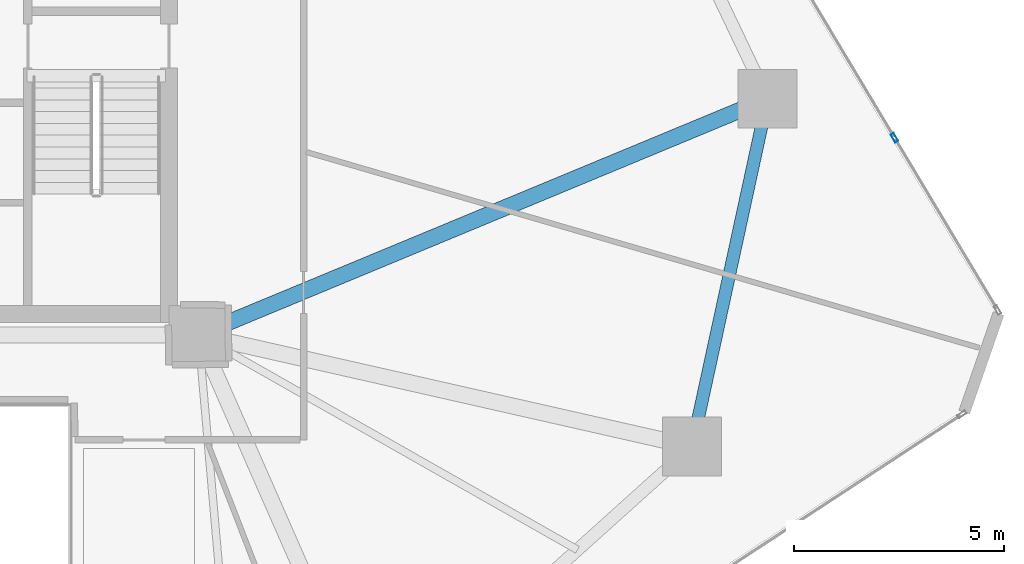
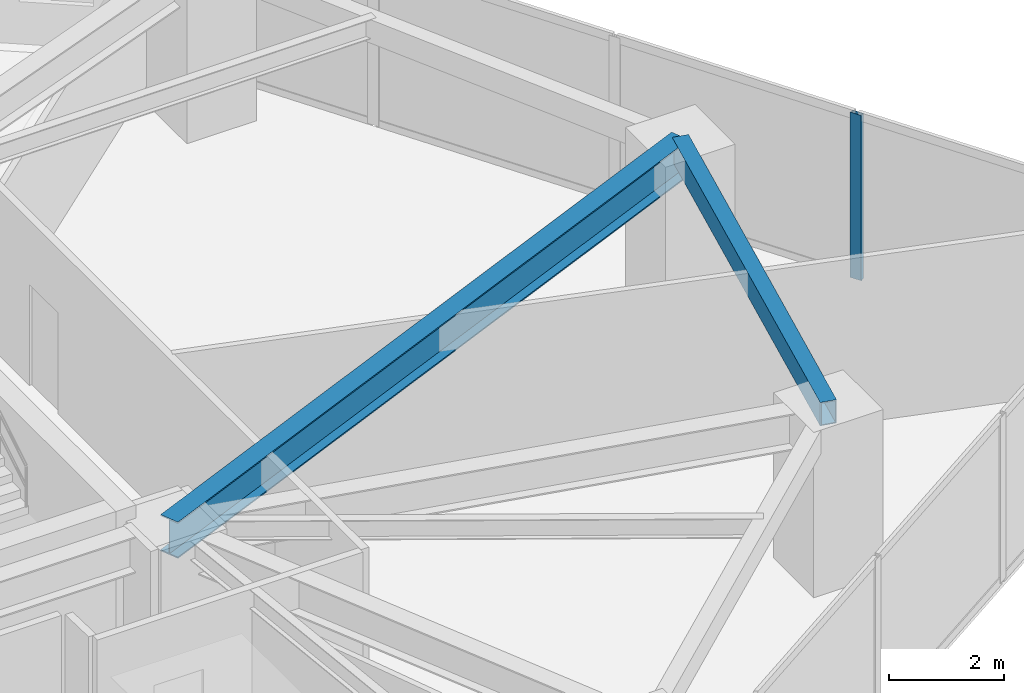
# One storey, part 10 of 20: 2 beams, 1 member, 1 element without a shape of its own.
"""IFC4 building model written with IfcOpenShell, lengths in metres."""

from ifc_helpers import new_model, si_unit, direction, frame, origin, origin_2d, place, context, subcontext, project, spatial, hollow_rectangle, i_section, extrude, source, transform, mapped, material, layer, layer_set, material_profile, profile_set, type_object, type_shapes, element, aggregate, save


model = new_model("IFC4")

# Units and contexts
model_context = context("Model", 3, precision=1e-05, world=origin(), true_north=direction((0.0, 1.0)))
body_context = subcontext(model_context, "Body", "Model", "MODEL_VIEW")
ifc_project = project(units=[si_unit("LENGTHUNIT", "METRE"), si_unit("AREAUNIT", "SQUARE_METRE"), si_unit("VOLUMEUNIT", "CUBIC_METRE"), si_unit("PLANEANGLEUNIT", "RADIAN"), si_unit("MASSUNIT", "GRAM", prefix="KILO")], contexts=[model_context])

# Site, building, storey
site_placement = place(None, origin())
site = spatial("IfcSite", under=ifc_project, at=site_placement, CompositionType="ELEMENT")
building_placement = place(site_placement, origin())
building = spatial("IfcBuilding", under=site, at=building_placement, Name="Talar Marvaseh", CompositionType="ELEMENT")
storey_placement = place(building_placement, frame((0.0, 0.0, 58.199951171875)))
storey = spatial("IfcBuildingStorey", under=building, at=storey_placement, Name="L14", CompositionType="ELEMENT", Elevation=58.199951171875)

# Beams
ifc_material_1 = material(Name="Steel S355", Category="steel")
ifc_material_profile_1 = material_profile(ifc_material_1, hollow_rectangle(XDim=0.300048828125, YDim=0.5, WallThickness=0.02001953125, at=origin_2d()), Name="RHS500x300x20")
ifc_profile_set_1 = profile_set([ifc_material_profile_1], Name="Steel S355")
beam_type_1 = type_object("IfcBeamType", Name="Zone 1 Perimeter Spandrel Beam RHS500x300x20", PredefinedType="SPANDREL", material=ifc_profile_set_1)
beam_1_placement = place(storey_placement, frame((46.841064453125, 31.118896484375, 3.27001953125), z_axis=(-0.212134113363, -0.977240562987, 0.0), x_axis=(0.977240562987, -0.212134113363, 0.0)))
element("IfcBeam", 1, at=beam_1_placement, inside=storey, type_object=beam_type_1, Name="L14 Zone 1 Perimeter Spandrel Beam RHS500x300x20", PredefinedType="SPANDREL", context=body_context, shape_type="SweptSolid", body=[
    extrude(hollow_rectangle(XDim=0.300048828125, YDim=0.5, WallThickness=0.02001953125, at=origin_2d()), origin(), (0.0, 0.0, 1.0), 8.4716796875),
])
ifc_material_profile_2 = material_profile(ifc_material_1, i_section(OverallWidth=0.381103515625, OverallDepth=0.77294921875, WebThickness=0.0166015625, FlangeThickness=0.027099609375, at=origin_2d()), Name="W760x257")
ifc_profile_set_2 = profile_set([ifc_material_profile_2], Name="Steel S355")
beam_type_2 = type_object("IfcBeamType", Name="Zone 1 Radial Floor Girder W760x257", PredefinedType="BEAM", material=ifc_profile_set_2)
beam_2_placement = place(storey_placement, frame((46.841064453125, 31.118896484375, 3.133544921875), z_axis=(-0.923637605375, -0.383266974753, 0.0), x_axis=(0.383266974753, -0.923637605375, 0.0)))
element("IfcBeam", 2, at=beam_2_placement, inside=storey, type_object=beam_type_2, Name="L14 Zone 1 Radial Floor Girder W760x257", PredefinedType="BEAM", context=body_context, shape_type="SweptSolid", body=[
    extrude(i_section(OverallWidth=0.381103515625, OverallDepth=0.77294921875, WebThickness=0.0166015625, FlangeThickness=0.027099609375, at=origin_2d()), origin(), (0.0, 0.0, 1.0), 14.66064453125),
])

# Curtain wall, member
ifc_material_2 = material(Name="Architectural Aluminium", Category="aluminium")
ifc_layer = layer(ifc_material_2, 0.219970703125)
ifc_layer_set = layer_set([ifc_layer], Name="Architectural Aluminium")
curtain_wall_type = type_object("IfcCurtainWallType", Name="Unitised Low-E Museum Curtain Wall Z1", PredefinedType="NOTDEFINED", material=ifc_layer_set)
curtain_wall_placement = place(storey_placement, origin())
curtain_wall = element("IfcCurtainWall", 3, at=curtain_wall_placement, inside=storey, type_object=curtain_wall_type, Name="L14 Unitised Low-E Museum Curtain Wall Z1", PredefinedType="NOTDEFINED")
ifc_material_profile_3 = material_profile(ifc_material_2, hollow_rectangle(XDim=0.080078125, YDim=0.219970703125, WallThickness=0.0048828125, at=origin_2d()), Name="RHS220x80x5")
ifc_profile_set_3 = profile_set([ifc_material_profile_3], Name="Architectural Aluminium")
member_type = type_object("IfcMemberType", Name="Unitised Curtain Wall Heavy Mullion RHS220x80x5", PredefinedType="MULLION", material=ifc_profile_set_3)
shared_shape = source(origin(), body_context, "Body", "SweptSolid", [
    extrude(hollow_rectangle(XDim=0.080078125, YDim=0.219970703125, WallThickness=0.0048828125, at=origin_2d()), origin(), (0.0, 0.0, 1.0), 3.52001953125),
])
type_shapes(member_type, [shared_shape])
member_placement = place(storey_placement, frame((49.860107421875, 30.190673828125, 0.0), z_axis=(0.0, 0.0, 1.0), x_axis=(0.858028746169, 0.513601665445, 0.0)))
member = element("IfcMember", 4, at=member_placement, type_object=member_type, Name="CW-Z1 mullion 4", PredefinedType="MULLION", context=body_context, shape_type="MappedRepresentation", body=[
    mapped(shared_shape, transform((0.0, 0.0, 0.0), x_axis=(1.0, 0.0, 0.0), y_axis=(0.0, 1.0, 0.0), z_axis=(0.0, 0.0, 1.0), scale=1.0)),
])
aggregate(curtain_wall, [member])

save(model, "model.ifc")
